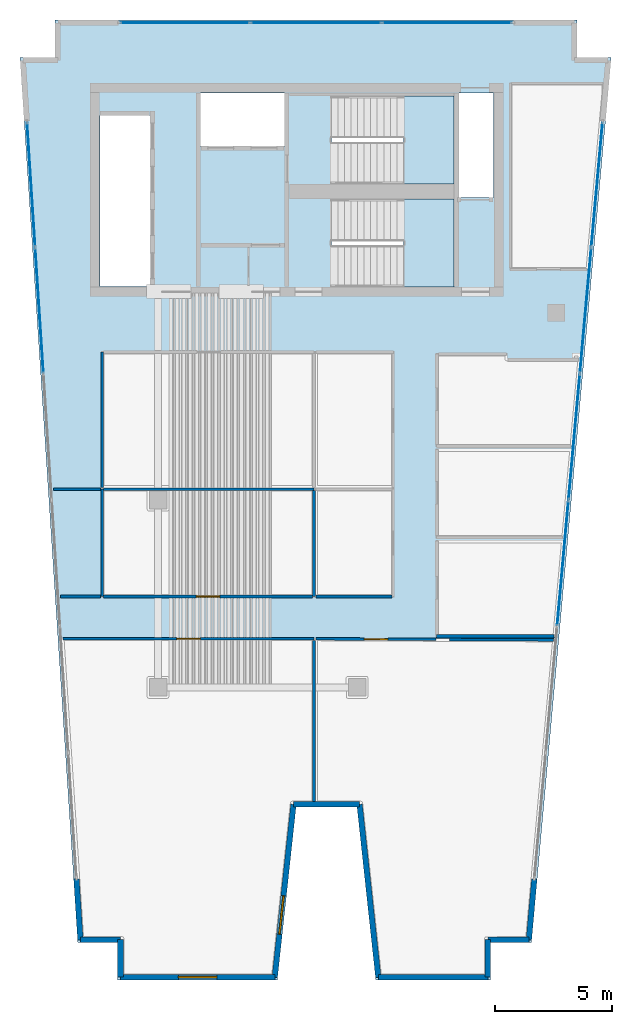
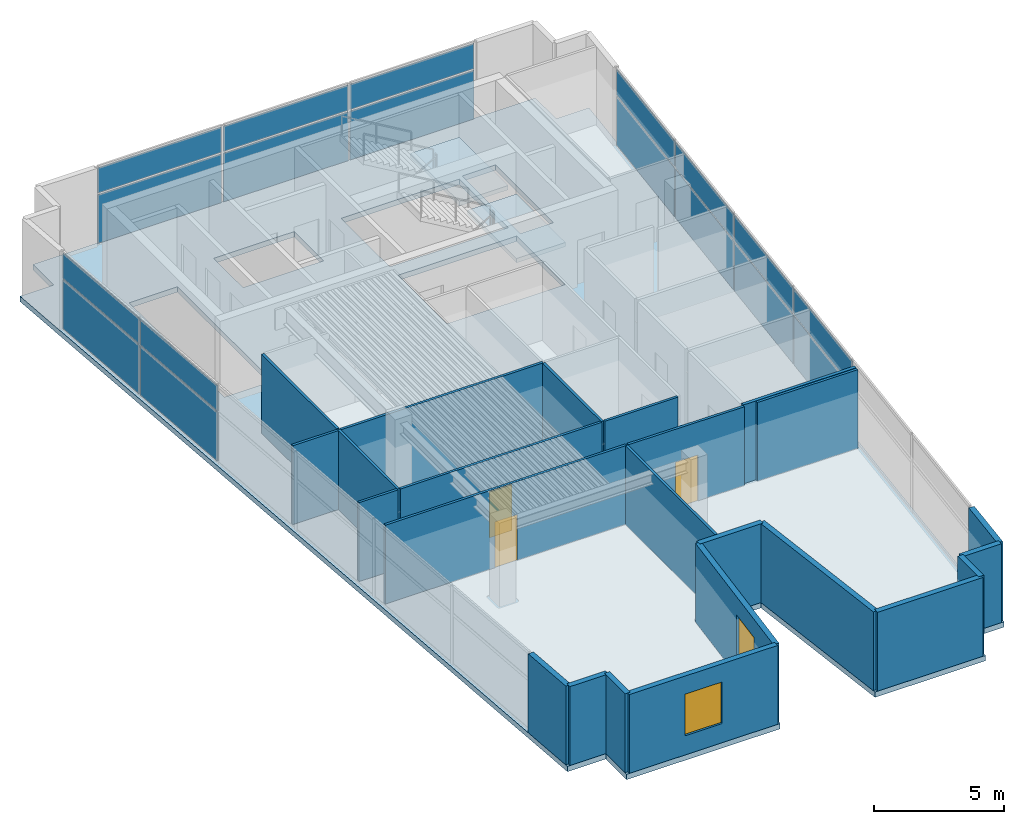
# One storey, part 3 of 7: 24 walls, 18 plates, 3 doors, 3 slabs, 2 windows, 5 openings, 5 elements without a shape of their own.
"""IFC4 building model written with IfcOpenShell, lengths in metres."""

from ifc_helpers import new_model, si_unit, direction, frame, frame_2d, origin, origin_2d, place, context, subcontext, project, spatial, polyline, rectangle, outline, extrude, material, layer, layer_set, type_object, element, fill, aggregate, save


model = new_model("IFC4")

# Units and contexts
model_context = context("Model", 3, precision=1e-05, world=origin(), true_north=direction((0.0, 1.0)))
body_context = subcontext(model_context, "Body", "Model", "MODEL_VIEW")
ifc_project = project(units=[si_unit("LENGTHUNIT", "METRE"), si_unit("AREAUNIT", "SQUARE_METRE"), si_unit("VOLUMEUNIT", "CUBIC_METRE"), si_unit("PLANEANGLEUNIT", "RADIAN"), si_unit("MASSUNIT", "GRAM", prefix="KILO")], contexts=[model_context])

# Site, building, storey
site_placement = place(None, origin())
site = spatial("IfcSite", under=ifc_project, at=site_placement, CompositionType="ELEMENT")
building_placement = place(site_placement, origin())
building = spatial("IfcBuilding", under=site, at=building_placement, Name="Caeloran Harvest Quay", CompositionType="ELEMENT")
storey_placement = place(building_placement, frame((0.0, 0.0, 312.0)))
storey = spatial("IfcBuildingStorey", under=building, at=storey_placement, Name="L75", CompositionType="ELEMENT", Elevation=312.0)

# Curtain wall, plates
ifc_material_1 = material(Name="Aluminium 6063-T6 and Low-E Glazing", Category="aluminium")
ifc_layer_1 = layer(ifc_material_1, 0.239990234375, Name="Aluminium 6063-T6 and Low-E Glazing")
ifc_layer_set_1 = layer_set([ifc_layer_1], Name="Aluminium 6063-T6 and Low-E Glazing")
curtain_wall_type = type_object("IfcCurtainWallType", Name="CW-SYS-CW-7", PredefinedType="USERDEFINED", material=ifc_layer_set_1)
curtain_wall_1_placement = place(storey_placement, origin())
curtain_wall_1 = element("IfcCurtainWall", 1, at=curtain_wall_1_placement, inside=storey, type_object=curtain_wall_type, Name="L75 Unitised Curtain Wall CW-7 Run 3", ObjectType="CURTAIN_WALL", PredefinedType="USERDEFINED")
ifc_material_2 = material(Name="Low-E Double Glazed Vision Glass Unit", Category="glass")
ifc_layer_2 = layer(ifc_material_2, 0.035888671875, Name="Low-E Double Glazed Vision Glass Unit")
ifc_layer_set_2 = layer_set([ifc_layer_2], Name="Low-E Double Glazed Vision Glass Unit")
plate_type = type_object("IfcPlateType", Name="CW-VISION-PANEL", PredefinedType="CURTAIN_PANEL", material=ifc_layer_set_2)
plate_1_placement = place(storey_placement, frame((3.430419921875, 31.0927734375, 0.080078125), z_axis=(0.0, 0.0, 1.0), x_axis=(-0.065166552901, 0.997874401106, 0.0)))
plate_1 = element("IfcPlate", 2, at=plate_1_placement, type_object=plate_type, Name="CW-7 panel 5.1", PredefinedType="CURTAIN_PANEL", context=body_context, shape_type="SweptSolid", body=[
    extrude(rectangle(XDim=5.32666015625, YDim=0.035888671875, at=origin_2d()), origin(), (0.0, 0.0, 1.0), 2.280029296875),
])
plate_2_placement = place(storey_placement, frame((3.430419921875, 31.0927734375, 2.43994140625), z_axis=(0.0, 0.0, 1.0), x_axis=(-0.065166552901, 0.997874401106, 0.0)))
plate_2 = element("IfcPlate", 3, at=plate_2_placement, type_object=plate_type, Name="CW-7 panel 5.2", PredefinedType="CURTAIN_PANEL", context=body_context, shape_type="SweptSolid", body=[
    extrude(rectangle(XDim=5.32666015625, YDim=0.035888671875, at=origin_2d()), origin(), (0.0, 0.0, 1.0), 1.179931640625),
])
plate_3_placement = place(storey_placement, frame((3.07958984375, 36.468017578125, 0.080078125), z_axis=(0.0, 0.0, 1.0), x_axis=(-0.065166552901, 0.997874401106, 0.0)))
plate_3 = element("IfcPlate", 4, at=plate_3_placement, type_object=plate_type, Name="CW-7 panel 6.1", PredefinedType="CURTAIN_PANEL", context=body_context, shape_type="SweptSolid", body=[
    extrude(rectangle(XDim=5.28662109375, YDim=0.035888671875, at=origin_2d()), origin(), (0.0, 0.0, 1.0), 2.280029296875),
])
plate_4_placement = place(storey_placement, frame((3.07958984375, 36.468017578125, 2.43994140625), z_axis=(0.0, 0.0, 1.0), x_axis=(-0.065166552901, 0.997874401106, 0.0)))
plate_4 = element("IfcPlate", 5, at=plate_4_placement, type_object=plate_type, Name="CW-7 panel 6.2", PredefinedType="CURTAIN_PANEL", context=body_context, shape_type="SweptSolid", body=[
    extrude(rectangle(XDim=5.28662109375, YDim=0.035888671875, at=origin_2d()), origin(), (0.0, 0.0, 1.0), 1.179931640625),
])
aggregate(curtain_wall_1, [plate_1, plate_2, plate_3, plate_4])

curtain_wall_2_placement = place(storey_placement, origin())
curtain_wall_2 = element("IfcCurtainWall", 6, at=curtain_wall_2_placement, inside=storey, type_object=curtain_wall_type, Name="L75 Unitised Curtain Wall CW-7 Run 6", ObjectType="CURTAIN_WALL", PredefinedType="USERDEFINED")
plate_5_placement = place(storey_placement, frame((9.64990234375, 43.3798828125, 0.080078125), z_axis=(0.0, 0.0, 1.0), x_axis=(1.0, 0.0, 0.0)))
plate_5 = element("IfcPlate", 7, at=plate_5_placement, type_object=plate_type, Name="CW-7 panel 1.1", PredefinedType="CURTAIN_PANEL", context=body_context, shape_type="SweptSolid", body=[
    extrude(rectangle(XDim=5.5, YDim=0.035888671875, at=origin_2d()), origin(), (0.0, 0.0, 1.0), 2.280029296875),
])
plate_6_placement = place(storey_placement, frame((9.64990234375, 43.3798828125, 2.43994140625), z_axis=(0.0, 0.0, 1.0), x_axis=(1.0, 0.0, 0.0)))
plate_6 = element("IfcPlate", 8, at=plate_6_placement, type_object=plate_type, Name="CW-7 panel 1.2", PredefinedType="CURTAIN_PANEL", context=body_context, shape_type="SweptSolid", body=[
    extrude(rectangle(XDim=5.5, YDim=0.035888671875, at=origin_2d()), origin(), (0.0, 0.0, 1.0), 1.179931640625),
])
plate_7_placement = place(storey_placement, frame((15.25, 43.3798828125, 0.080078125), z_axis=(0.0, 0.0, 1.0), x_axis=(1.0, 0.0, 0.0)))
plate_7 = element("IfcPlate", 9, at=plate_7_placement, type_object=plate_type, Name="CW-7 panel 2.1", PredefinedType="CURTAIN_PANEL", context=body_context, shape_type="SweptSolid", body=[
    extrude(rectangle(XDim=5.5400390625, YDim=0.035888671875, at=origin_2d()), origin(), (0.0, 0.0, 1.0), 2.280029296875),
])
plate_8_placement = place(storey_placement, frame((15.25, 43.3798828125, 2.43994140625), z_axis=(0.0, 0.0, 1.0), x_axis=(1.0, 0.0, 0.0)))
plate_8 = element("IfcPlate", 10, at=plate_8_placement, type_object=plate_type, Name="CW-7 panel 2.2", PredefinedType="CURTAIN_PANEL", context=body_context, shape_type="SweptSolid", body=[
    extrude(rectangle(XDim=5.5400390625, YDim=0.035888671875, at=origin_2d()), origin(), (0.0, 0.0, 1.0), 1.179931640625),
])
plate_9_placement = place(storey_placement, frame((20.85009765625, 43.3798828125, 0.080078125), z_axis=(0.0, 0.0, 1.0), x_axis=(1.0, 0.0, 0.0)))
plate_9 = element("IfcPlate", 11, at=plate_9_placement, type_object=plate_type, Name="CW-7 panel 3.1", PredefinedType="CURTAIN_PANEL", context=body_context, shape_type="SweptSolid", body=[
    extrude(rectangle(XDim=5.5, YDim=0.035888671875, at=origin_2d()), origin(), (0.0, 0.0, 1.0), 2.280029296875),
])
plate_10_placement = place(storey_placement, frame((20.85009765625, 43.3798828125, 2.43994140625), z_axis=(0.0, 0.0, 1.0), x_axis=(1.0, 0.0, 0.0)))
plate_10 = element("IfcPlate", 12, at=plate_10_placement, type_object=plate_type, Name="CW-7 panel 3.2", PredefinedType="CURTAIN_PANEL", context=body_context, shape_type="SweptSolid", body=[
    extrude(rectangle(XDim=5.5, YDim=0.035888671875, at=origin_2d()), origin(), (0.0, 0.0, 1.0), 1.179931640625),
])
aggregate(curtain_wall_2, [plate_5, plate_6, plate_7, plate_8, plate_9, plate_10])

curtain_wall_3_placement = place(storey_placement, origin())
curtain_wall_3 = element("IfcCurtainWall", 13, at=curtain_wall_3_placement, inside=storey, type_object=curtain_wall_type, Name="L75 Unitised Curtain Wall CW-7 Run 9", ObjectType="CURTAIN_WALL", PredefinedType="USERDEFINED")
plate_11_placement = place(storey_placement, frame((27.245849609375, 36.47216796875, 0.080078125), z_axis=(0.0, 0.0, 1.0), x_axis=(-0.089821065146, -0.995957918918, 0.0)))
plate_11 = element("IfcPlate", 14, at=plate_11_placement, type_object=plate_type, Name="CW-7 panel 1.1", PredefinedType="CURTAIN_PANEL", context=body_context, shape_type="SweptSolid", body=[
    extrude(rectangle(XDim=5.298828125, YDim=0.035888671875, at=origin_2d()), origin(), (0.0, 0.0, 1.0), 2.280029296875),
])
plate_12_placement = place(storey_placement, frame((27.245849609375, 36.47216796875, 2.43994140625), z_axis=(0.0, 0.0, 1.0), x_axis=(-0.089821065146, -0.995957918918, 0.0)))
plate_12 = element("IfcPlate", 15, at=plate_12_placement, type_object=plate_type, Name="CW-7 panel 1.2", PredefinedType="CURTAIN_PANEL", context=body_context, shape_type="SweptSolid", body=[
    extrude(rectangle(XDim=5.298828125, YDim=0.035888671875, at=origin_2d()), origin(), (0.0, 0.0, 1.0), 1.179931640625),
])
plate_13_placement = place(storey_placement, frame((26.7607421875, 31.09521484375, 0.080078125), z_axis=(0.0, 0.0, 1.0), x_axis=(-0.089821065146, -0.995957918918, 0.0)))
plate_13 = element("IfcPlate", 16, at=plate_13_placement, type_object=plate_type, Name="CW-7 panel 2.1", PredefinedType="CURTAIN_PANEL", context=body_context, shape_type="SweptSolid", body=[
    extrude(rectangle(XDim=5.338623046875, YDim=0.035888671875, at=origin_2d()), origin(), (0.0, 0.0, 1.0), 2.280029296875),
])
plate_14_placement = place(storey_placement, frame((26.7607421875, 31.09521484375, 2.43994140625), z_axis=(0.0, 0.0, 1.0), x_axis=(-0.089821065146, -0.995957918918, 0.0)))
plate_14 = element("IfcPlate", 17, at=plate_14_placement, type_object=plate_type, Name="CW-7 panel 2.2", PredefinedType="CURTAIN_PANEL", context=body_context, shape_type="SweptSolid", body=[
    extrude(rectangle(XDim=5.338623046875, YDim=0.035888671875, at=origin_2d()), origin(), (0.0, 0.0, 1.0), 1.179931640625),
])
plate_15_placement = place(storey_placement, frame((26.274169921875, 25.698486328125, 0.080078125), z_axis=(0.0, 0.0, 1.0), x_axis=(-0.089821065146, -0.995957918918, 0.0)))
plate_15 = element("IfcPlate", 18, at=plate_15_placement, type_object=plate_type, Name="CW-7 panel 3.1", PredefinedType="CURTAIN_PANEL", context=body_context, shape_type="SweptSolid", body=[
    extrude(rectangle(XDim=5.338623046875, YDim=0.035888671875, at=origin_2d()), origin(), (0.0, 0.0, 1.0), 2.280029296875),
])
plate_16_placement = place(storey_placement, frame((26.274169921875, 25.698486328125, 2.43994140625), z_axis=(0.0, 0.0, 1.0), x_axis=(-0.089821065146, -0.995957918918, 0.0)))
plate_16 = element("IfcPlate", 19, at=plate_16_placement, type_object=plate_type, Name="CW-7 panel 3.2", PredefinedType="CURTAIN_PANEL", context=body_context, shape_type="SweptSolid", body=[
    extrude(rectangle(XDim=5.338623046875, YDim=0.035888671875, at=origin_2d()), origin(), (0.0, 0.0, 1.0), 1.179931640625),
])
plate_17_placement = place(storey_placement, frame((25.787353515625, 20.301513671875, 0.080078125), z_axis=(0.0, 0.0, 1.0), x_axis=(-0.089821065146, -0.995957918918, 0.0)))
plate_17 = element("IfcPlate", 20, at=plate_17_placement, type_object=plate_type, Name="CW-7 panel 4.1", PredefinedType="CURTAIN_PANEL", context=body_context, shape_type="SweptSolid", body=[
    extrude(rectangle(XDim=5.338623046875, YDim=0.035888671875, at=origin_2d()), origin(), (0.0, 0.0, 1.0), 2.280029296875),
])
plate_18_placement = place(storey_placement, frame((25.787353515625, 20.301513671875, 2.43994140625), z_axis=(0.0, 0.0, 1.0), x_axis=(-0.089821065146, -0.995957918918, 0.0)))
plate_18 = element("IfcPlate", 21, at=plate_18_placement, type_object=plate_type, Name="CW-7 panel 4.2", PredefinedType="CURTAIN_PANEL", context=body_context, shape_type="SweptSolid", body=[
    extrude(rectangle(XDim=5.338623046875, YDim=0.035888671875, at=origin_2d()), origin(), (0.0, 0.0, 1.0), 1.179931640625),
])
aggregate(curtain_wall_3, [plate_11, plate_12, plate_13, plate_14, plate_15, plate_16, plate_17, plate_18])

# Slab
ifc_material_3 = material(Name="Concrete C50/60", Category="concrete")
ifc_layer_3 = layer(ifc_material_3, 0.25, Name="Concrete C50/60")
ifc_layer_set_3 = layer_set([ifc_layer_3], Name="Concrete C50/60")
slab_type_1 = type_object("IfcSlabType", Name="SLAB-FS-250", PredefinedType="FLOOR", material=ifc_layer_set_3)
slab_1_placement = place(storey_placement, frame((0.0, 0.0, -0.25)))
element("IfcSlab", 22, at=slab_1_placement, inside=storey, type_object=slab_type_1, Name="L75 Structural Floor Slab", PredefinedType="FLOOR", context=body_context, shape_type="SweptSolid", body=[
    extrude(outline(polyline([(6.777587890625, 2.5), (13.592529296875, 2.5), (14.392578125, 9.8798828125), (17.0, 9.8798828125), (17.800048828125, 2.5), (22.702392578125, 2.5), (22.702392578125, 4.10009765625), (24.44677734375, 4.10009765625), (27.855712890625, 41.89990234375), (26.39990234375, 41.89990234375), (26.39990234375, 43.5), (4.10009765625, 43.5), (4.10009765625, 41.89990234375), (2.6044921875, 41.89990234375), (5.072998046875, 4.10009765625), (6.777587890625, 4.10009765625), (6.777587890625, 2.5)]), holes=[polyline([(21.14990234375, 32.10009765625), (15.89990234375, 32.10009765625), (15.89990234375, 35.85009765625), (21.14990234375, 35.85009765625), (21.14990234375, 32.10009765625)]), polyline([(8.159912109375, 39.419921875), (8.159912109375, 32.1201171875), (6.02001953125, 32.1201171875), (6.02001953125, 39.419921875), (8.159912109375, 39.419921875)]), polyline([(22.830078125, 40.3798828125), (22.830078125, 35.919921875), (21.35009765625, 35.919921875), (21.35009765625, 40.3798828125), (22.830078125, 40.3798828125)]), polyline([(15.89990234375, 36.5), (15.89990234375, 40.25), (21.14990234375, 40.25), (21.14990234375, 36.5), (15.89990234375, 36.5)]), polyline([(13.89990234375, 38.1201171875), (10.320068359375, 38.1201171875), (10.320068359375, 40.3798828125), (13.89990234375, 40.3798828125), (13.89990234375, 38.1201171875)])]), origin(), (0.0, 0.0, 1.0), 0.25),
])

# Stair, slab
stair_type = type_object("IfcStairType", Name="STAIR-STC-180", PredefinedType="HALF_TURN_STAIR", material=ifc_material_3)
stair_1_placement = place(storey_placement, origin())
stair_1 = element("IfcStair", 23, at=stair_1_placement, inside=storey, type_object=stair_type, Name="L75 Core Pressurized Exit Stair ST-C1", PredefinedType="HALF_TURN_STAIR")
ifc_layer_4 = layer(ifc_material_3, 0.219970703125, Name="Concrete C50/60")
ifc_layer_set_4 = layer_set([ifc_layer_4], Name="Concrete C50/60")
slab_type_2 = type_object("IfcSlabType", Name="STAIR-LANDING-220", PredefinedType="LANDING", material=ifc_layer_set_4)
slab_2_placement = place(storey_placement, frame((0.0, 0.0, 1.77490234375)))
slab_2 = element("IfcSlab", 24, at=slab_2_placement, type_object=slab_type_2, Name="ST-C1 landing 1", PredefinedType="LANDING", context=body_context, shape_type="SweptSolid", body=[
    extrude(outline(polyline([(18.97998046875, 36.5), (21.14990234375, 36.5), (21.14990234375, 40.25), (18.97998046875, 40.25), (18.97998046875, 36.5)])), origin(), (0.0, 0.0, 1.0), 0.2001953125),
])
aggregate(stair_1, [slab_2])

stair_2_placement = place(storey_placement, origin())
stair_2 = element("IfcStair", 25, at=stair_2_placement, inside=storey, type_object=stair_type, Name="L75 Core Pressurized Exit Stair ST-C2", PredefinedType="HALF_TURN_STAIR")
slab_3_placement = place(storey_placement, frame((0.0, 0.0, 1.77490234375)))
slab_3 = element("IfcSlab", 26, at=slab_3_placement, type_object=slab_type_2, Name="ST-C2 landing 1", PredefinedType="LANDING", context=body_context, shape_type="SweptSolid", body=[
    extrude(outline(polyline([(18.97998046875, 32.10009765625), (21.14990234375, 32.10009765625), (21.14990234375, 35.85009765625), (18.97998046875, 35.85009765625), (18.97998046875, 32.10009765625)])), origin(), (0.0, 0.0, 1.0), 0.2001953125),
])
aggregate(stair_2, [slab_3])

# Walls
ifc_material_4 = material(Name="Precast concrete C50/60", Category="concrete")
ifc_layer_5 = layer(ifc_material_4, 0.239990234375, Name="Precast concrete C50/60")
ifc_layer_set_5 = layer_set([ifc_layer_5], Name="Precast concrete C50/60")
wall_type_1 = type_object("IfcWallType", Name="ENV-WALL-EW-240", PredefinedType="STANDARD", material=ifc_layer_set_5)
wall_1_placement = place(storey_placement, frame((6.8974609375, 2.6201171875, 0.0), z_axis=(0.0, 0.0, 1.0), x_axis=(0.0, 1.0, 0.0)))
element("IfcWall", 27, at=wall_1_placement, inside=storey, type_object=wall_type_1, Name="L75 Exterior Precast Concrete Facade Wall 1", PredefinedType="STANDARD", context=body_context, shape_type="SweptSolid", body=[
    extrude(rectangle(XDim=1.599853515625, YDim=0.239990234375, at=frame_2d((0.7998046875, 0.0))), origin(), (0.0, 0.0, 1.0), 3.699951171875),
])
wall_2_placement = place(storey_placement, frame((6.8974609375, 4.219970703125, 0.0), z_axis=(0.0, 0.0, 1.0), x_axis=(-1.0, 0.0, 0.0)))
element("IfcWall", 28, at=wall_2_placement, inside=storey, type_object=wall_type_1, Name="L75 Exterior Precast Concrete Facade Wall 2", PredefinedType="STANDARD", context=body_context, shape_type="SweptSolid", body=[
    extrude(rectangle(XDim=1.712158203125, YDim=0.239990234375, at=frame_2d((0.85595703125, 0.0))), origin(), (0.0, 0.0, 1.0), 3.699951171875),
])
for number, where, z_axis, x_axis, name in (
    (29, (5.185302734375, 4.219970703125, 0.0), (0.0, 0.0, 1.0), (-0.065073039336, 0.997880503643, 0.0), "L75 Exterior Facade Corner Pier Wall 3A"),
    (30, (24.570556640625, 6.8095703125, 0.0), (0.0, 0.0, 1.0), (-0.089765303723, -0.995962946222, 0.0), "L75 Exterior Facade Corner Pier Wall 9B"),
):
    element("IfcWall", number, at=place(storey_placement, frame(where, z_axis=z_axis, x_axis=x_axis)), inside=storey, type_object=wall_type_1, Name=name, PredefinedType="STANDARD", context=body_context, shape_type="SweptSolid", body=[
        extrude(rectangle(XDim=2.60009765625, YDim=0.239990234375, at=frame_2d((1.300048828125, 0.0))), origin(), (0.0, 0.0, 1.0), 3.699951171875),
    ])
wall_3_placement = place(storey_placement, frame((24.337158203125, 4.219970703125, 0.0), z_axis=(0.0, 0.0, 1.0), x_axis=(-1.0, 0.0, 0.0)))
element("IfcWall", 31, at=wall_3_placement, inside=storey, type_object=wall_type_1, Name="L75 Exterior Precast Concrete Facade Wall 10", PredefinedType="STANDARD", context=body_context, shape_type="SweptSolid", body=[
    extrude(rectangle(XDim=1.754638671875, YDim=0.239990234375, at=frame_2d((0.87744140625, 0.0))), origin(), (0.0, 0.0, 1.0), 3.699951171875),
])
wall_4_placement = place(storey_placement, frame((22.58251953125, 4.219970703125, 0.0), z_axis=(0.0, 0.0, 1.0), x_axis=(0.0, -1.0, 0.0)))
element("IfcWall", 32, at=wall_4_placement, inside=storey, type_object=wall_type_1, Name="L75 Exterior Precast Concrete Facade Wall 11", PredefinedType="STANDARD", context=body_context, shape_type="SweptSolid", body=[
    extrude(rectangle(XDim=1.599853515625, YDim=0.239990234375, at=frame_2d((0.7998046875, 0.0))), origin(), (0.0, 0.0, 1.0), 3.699951171875),
])
wall_5_placement = place(storey_placement, frame((22.58251953125, 2.6201171875, 0.0), z_axis=(0.0, 0.0, 1.0), x_axis=(-1.0, 0.0, 0.0)))
element("IfcWall", 33, at=wall_5_placement, inside=storey, type_object=wall_type_1, Name="L75 Exterior Precast Concrete Facade Wall 12", PredefinedType="STANDARD", context=body_context, shape_type="SweptSolid", body=[
    extrude(rectangle(XDim=4.6748046875, YDim=0.239990234375, at=frame_2d((2.33740234375, 0.0))), origin(), (0.0, 0.0, 1.0), 3.699951171875),
])
wall_6_placement = place(storey_placement, frame((17.90771484375, 2.6201171875, 0.0), z_axis=(0.0, 0.0, 1.0), x_axis=(-0.107777936076, 0.994174992894, 0.0)))
element("IfcWall", 34, at=wall_6_placement, inside=storey, type_object=wall_type_1, Name="L75 Exterior Precast Concrete Facade Wall 13", PredefinedType="STANDARD", context=body_context, shape_type="SweptSolid", body=[
    extrude(rectangle(XDim=7.423095703125, YDim=0.239990234375, at=frame_2d((3.71142578125, 0.0))), origin(), (0.0, 0.0, 1.0), 3.699951171875),
])
wall_7_placement = place(storey_placement, frame((17.107666015625, 10.0, 0.0), z_axis=(0.0, 0.0, 1.0), x_axis=(-1.0, 0.0, 0.0)))
element("IfcWall", 35, at=wall_7_placement, inside=storey, type_object=wall_type_1, Name="L75 Exterior Precast Concrete Facade Wall 14", PredefinedType="STANDARD", context=body_context, shape_type="SweptSolid", body=[
    extrude(rectangle(XDim=2.82275390625, YDim=0.239990234375, at=frame_2d((1.411376953125, 0.0))), origin(), (0.0, 0.0, 1.0), 3.699951171875),
])

# Wall, opening, window
wall_8_placement = place(storey_placement, frame((14.284912109375, 10.0, 0.0), z_axis=(0.0, 0.0, 1.0), x_axis=(-0.107777936076, -0.994174992894, 0.0)))
wall_8 = element("IfcWall", 36, at=wall_8_placement, inside=storey, type_object=wall_type_1, Name="L75 Exterior Precast Concrete Facade Wall 15", PredefinedType="STANDARD", context=body_context, shape_type="SweptSolid", body=[
    extrude(rectangle(XDim=7.423095703125, YDim=0.239990234375, at=frame_2d((3.71142578125, 0.0))), origin(), (0.0, 0.0, 1.0), 3.699951171875),
])
opening_1_placement = place(wall_8_placement, frame((3.926025390625, 0.0, 0.89990234375)))
opening_1 = element("IfcOpeningElement", 37, at=opening_1_placement, cuts=wall_8, Name="Opening W-08", PredefinedType="OPENING", context=body_context, shape_type="SweptSolid", body=[
    extrude(rectangle(XDim=1.64990234375, YDim=1.949951171875, at=frame_2d((0.824951171875, 0.97509765625))), frame((0.0, 0.1298828125, 0.0), z_axis=(0.0, -1.0, 0.0), x_axis=(1.0, 0.0, 0.0)), (0.0, 0.0, 1.0), 0.260009765625),
])
ifc_material_5 = material(Name="Aluminium-Framed Low-E Laminated Glass", Category="aluminium")
window_type = type_object("IfcWindowType", Name="WIN-W-08", PartitioningType="SINGLE_PANEL", PredefinedType="WINDOW", material=ifc_material_5)
window_1_placement = place(opening_1_placement, origin())
window_1 = element("IfcWindow", 38, at=window_1_placement, inside=storey, type_object=window_type, Name="L75 Facade Punched Window W-08", OverallHeight=1.949951171875, OverallWidth=1.64990234375, PartitioningType="SINGLE_PANEL", PredefinedType="WINDOW", context=body_context, shape_type="SweptSolid", body=[
    extrude(rectangle(XDim=1.64990234375, YDim=1.949951171875, at=frame_2d((0.824951171875, 0.97509765625))), frame((0.0, 0.030029296875, 0.0), z_axis=(0.0, -1.0, 0.0), x_axis=(1.0, 0.0, 0.0)), (0.0, 0.0, 1.0), 0.06005859375),
])
fill(opening_1, window_1)

wall_9_placement = place(storey_placement, frame((13.48486328125, 2.6201171875, 0.0), z_axis=(0.0, 0.0, 1.0), x_axis=(-1.0, 0.0, 0.0)))
wall_9 = element("IfcWall", 39, at=wall_9_placement, inside=storey, type_object=wall_type_1, Name="L75 Exterior Precast Concrete Facade Wall 16", PredefinedType="STANDARD", context=body_context, shape_type="SweptSolid", body=[
    extrude(rectangle(XDim=6.58740234375, YDim=0.239990234375, at=frame_2d((3.293701171875, 0.0))), origin(), (0.0, 0.0, 1.0), 3.699951171875),
])
opening_2_placement = place(wall_9_placement, frame((2.468994140625, 0.0, 0.89990234375)))
opening_2 = element("IfcOpeningElement", 40, at=opening_2_placement, cuts=wall_9, Name="Opening W-08", PredefinedType="OPENING", context=body_context, shape_type="SweptSolid", body=[
    extrude(rectangle(XDim=1.64990234375, YDim=1.949951171875, at=frame_2d((0.824951171875, 0.97509765625))), frame((0.0, 0.1298828125, 0.0), z_axis=(0.0, -1.0, 0.0), x_axis=(1.0, 0.0, 0.0)), (0.0, 0.0, 1.0), 0.260009765625),
])
window_2_placement = place(opening_2_placement, origin())
window_2 = element("IfcWindow", 41, at=window_2_placement, inside=storey, type_object=window_type, Name="L75 Facade Punched Window W-08", OverallHeight=1.949951171875, OverallWidth=1.64990234375, PartitioningType="SINGLE_PANEL", PredefinedType="WINDOW", context=body_context, shape_type="SweptSolid", body=[
    extrude(rectangle(XDim=1.64990234375, YDim=1.949951171875, at=frame_2d((0.824951171875, 0.97509765625))), frame((0.0, 0.030029296875, 0.0), z_axis=(0.0, -1.0, 0.0), x_axis=(1.0, 0.0, 0.0)), (0.0, 0.0, 1.0), 0.06005859375),
])
fill(opening_2, window_2)

# Wall, opening, door
ifc_material_6 = material(Name="Single-Stud Acoustic Gypsum Office Partition", Category="gypsum")
ifc_layer_6 = layer(ifc_material_6, 0.112060546875, Name="Single-Stud Acoustic Gypsum Office Partition")
ifc_layer_set_6 = layer_set([ifc_layer_6], Name="Single-Stud Acoustic Gypsum Office Partition")
wall_type_2 = type_object("IfcWallType", Name="INT-WALL-PW-112", PredefinedType="PARTITIONING", material=ifc_layer_set_6)
wall_10_placement = place(storey_placement, frame((4.451416015625, 17.070068359375, 0.0), z_axis=(0.0, 0.0, 1.0), x_axis=(1.0, 0.0, 0.0)))
wall_10 = element("IfcWall", 42, at=wall_10_placement, inside=storey, type_object=wall_type_2, Name="Pinnacle Botanical Observatory Studio Partition Wall", PredefinedType="PARTITIONING", context=body_context, shape_type="SweptSolid", body=[
    extrude(rectangle(XDim=10.70849609375, YDim=0.112060546875, at=frame_2d((5.354248046875, 0.0))), origin(), (0.0, 0.0, 1.0), 3.699951171875),
])
opening_3_placement = place(wall_10_placement, frame((4.854248046875, 0.0, 0.0)))
opening_3 = element("IfcOpeningElement", 43, at=opening_3_placement, cuts=wall_10, Name="Opening ID-01", PredefinedType="OPENING", context=body_context, shape_type="SweptSolid", body=[
    extrude(rectangle(XDim=1.0, YDim=2.14990234375, at=frame_2d((0.5, 1.074951171875))), frame((0.0, 0.06591796875, 0.0), z_axis=(0.0, -1.0, 0.0), x_axis=(1.0, 0.0, 0.0)), (0.0, 0.0, 1.0), 0.132080078125),
])
ifc_material_7 = material(Name="FSC Solid-Core Ash Timber and Acoustic Seal", Category="wood")
door_type = type_object("IfcDoorType", Name="INTDOOR-ID-01", OperationType="NOTDEFINED", PredefinedType="DOOR", material=ifc_material_7)
door_1_placement = place(opening_3_placement, origin())
door_1 = element("IfcDoor", 44, at=door_1_placement, inside=storey, type_object=door_type, Name="Pinnacle Botanical Observatory Studio Access Door", OperationType="SINGLE_SWING_LEFT", OverallHeight=2.14990234375, OverallWidth=1.0, PredefinedType="DOOR", context=body_context, shape_type="SweptSolid", body=[
    extrude(rectangle(XDim=1.0, YDim=2.14990234375, at=frame_2d((0.5, 1.074951171875))), frame((0.0, 0.02490234375, 0.0), z_axis=(0.0, -1.0, 0.0), x_axis=(1.0, 0.0, 0.0)), (0.0, 0.0, 1.0), 0.050048828125),
])
fill(opening_3, door_1)

# Walls
wall_11_placement = place(storey_placement, frame((15.159912109375, 17.009033203125, 0.0), z_axis=(0.0, 0.0, 1.0), x_axis=(0.0, -1.0, 0.0)))
element("IfcWall", 45, at=wall_11_placement, inside=storey, type_object=wall_type_2, Name="Pinnacle Botanical Observatory Studio Partition Wall", PredefinedType="PARTITIONING", context=body_context, shape_type="SweptSolid", body=[
    extrude(rectangle(XDim=6.884033203125, YDim=0.112060546875, at=frame_2d((3.44189453125, 0.0))), origin(), (0.0, 0.0, 1.0), 3.699951171875),
])
wall_12_placement = place(storey_placement, frame((20.947021484375, 17.0419921875, 0.0), z_axis=(0.0, 0.0, 1.0), x_axis=(0.999988019942, -0.004894892409, 0.0)))
element("IfcWall", 46, at=wall_12_placement, inside=storey, type_object=wall_type_2, Name="Diplomatic Conference Hall Partition Wall", PredefinedType="PARTITIONING", context=body_context, shape_type="SweptSolid", body=[
    extrude(rectangle(XDim=4.43896484375, YDim=0.112060546875, at=frame_2d((2.219482421875, 0.0))), origin(), (0.0, 0.0, 1.0), 3.699951171875),
])

# Wall, opening, door
wall_13_placement = place(storey_placement, frame((15.239990234375, 17.070068359375, 0.0), z_axis=(0.0, 0.0, 1.0), x_axis=(0.999988036902, -0.0048914265, 0.0)))
wall_13 = element("IfcWall", 47, at=wall_13_placement, inside=storey, type_object=wall_type_2, Name="Diplomatic Conference Hall Partition Wall", PredefinedType="PARTITIONING", context=body_context, shape_type="SweptSolid", body=[
    extrude(rectangle(XDim=5.140869140625, YDim=0.112060546875, at=frame_2d((2.5703125, 0.0))), origin(), (0.0, 0.0, 1.0), 3.699951171875),
])
opening_4_placement = place(wall_13_placement, frame((2.070556640625, 0.0, 0.0)))
opening_4 = element("IfcOpeningElement", 48, at=opening_4_placement, cuts=wall_13, Name="Opening ID-01", PredefinedType="OPENING", context=body_context, shape_type="SweptSolid", body=[
    extrude(rectangle(XDim=1.0, YDim=2.14990234375, at=frame_2d((0.5, 1.074951171875))), frame((0.0, 0.06591796875, 0.0), z_axis=(0.0, -1.0, 0.0), x_axis=(1.0, 0.0, 0.0)), (0.0, 0.0, 1.0), 0.132080078125),
])
door_2_placement = place(opening_4_placement, origin())
door_2 = element("IfcDoor", 49, at=door_2_placement, inside=storey, type_object=door_type, Name="Diplomatic Conference Hall Access Door", OperationType="SINGLE_SWING_RIGHT", OverallHeight=2.14990234375, OverallWidth=1.0, PredefinedType="DOOR", context=body_context, shape_type="SweptSolid", body=[
    extrude(rectangle(XDim=1.0, YDim=2.14990234375, at=frame_2d((0.5, 1.074951171875))), frame((0.0, 0.02490234375, 0.0), z_axis=(0.0, -1.0, 0.0), x_axis=(1.0, 0.0, 0.0)), (0.0, 0.0, 1.0), 0.050048828125),
])
fill(opening_4, door_2)

# Walls
wall_14_placement = place(storey_placement, frame((6.110107421875, 18.8798828125, 0.0), z_axis=(0.0, 0.0, 1.0), x_axis=(0.0, 1.0, 0.0)))
element("IfcWall", 50, at=wall_14_placement, inside=storey, type_object=wall_type_2, Name="Private Family Meeting Room Partition Wall", PredefinedType="PARTITIONING", context=body_context, shape_type="SweptSolid", body=[
    extrude(rectangle(XDim=4.580078125, YDim=0.112060546875, at=frame_2d((2.2900390625, 0.0))), origin(), (0.0, 0.0, 1.0), 3.699951171875),
])
wall_15_placement = place(storey_placement, frame((4.0341796875, 23.4599609375, 0.0), z_axis=(0.0, 0.0, 1.0), x_axis=(1.0, 0.0, 0.0)))
element("IfcWall", 51, at=wall_15_placement, inside=storey, type_object=wall_type_2, Name="Private Family Meeting Room Partition Wall", PredefinedType="PARTITIONING", context=body_context, shape_type="SweptSolid", body=[
    extrude(rectangle(XDim=2.014892578125, YDim=0.112060546875, at=frame_2d((1.00732421875, 0.0))), origin(), (0.0, 0.0, 1.0), 3.699951171875),
])
wall_16_placement = place(storey_placement, frame((6.1708984375, 23.4599609375, 0.0), z_axis=(0.0, 0.0, 1.0), x_axis=(1.0, 0.0, 0.0)))
element("IfcWall", 52, at=wall_16_placement, inside=storey, type_object=wall_type_2, Name="Private Family Meeting Room Partition Wall", PredefinedType="PARTITIONING", context=body_context, shape_type="SweptSolid", body=[
    extrude(rectangle(XDim=8.989013671875, YDim=0.112060546875, at=frame_2d((4.49462890625, 0.0))), origin(), (0.0, 0.0, 1.0), 3.699951171875),
])
wall_17_placement = place(storey_placement, frame((15.159912109375, 23.39892578125, 0.0), z_axis=(0.0, 0.0, 1.0), x_axis=(0.0, -1.0, 0.0)))
element("IfcWall", 53, at=wall_17_placement, inside=storey, type_object=wall_type_2, Name="Private Family Meeting Room Partition Wall", PredefinedType="PARTITIONING", context=body_context, shape_type="SweptSolid", body=[
    extrude(rectangle(XDim=4.51904296875, YDim=0.112060546875, at=frame_2d((2.259521484375, 0.0))), origin(), (0.0, 0.0, 1.0), 3.699951171875),
])
wall_18_placement = place(storey_placement, frame((6.049072265625, 18.8798828125, 0.0), z_axis=(0.0, 0.0, 1.0), x_axis=(-1.0, 0.0, 0.0)))
element("IfcWall", 54, at=wall_18_placement, inside=storey, type_object=wall_type_2, Name="Private Family Meeting Room Partition Wall", PredefinedType="PARTITIONING", context=body_context, shape_type="SweptSolid", body=[
    extrude(rectangle(XDim=1.7158203125, YDim=0.112060546875, at=frame_2d((0.85791015625, 0.0))), origin(), (0.0, 0.0, 1.0), 3.699951171875),
])

# Wall, opening, door
wall_19_placement = place(storey_placement, frame((15.09912109375, 18.8798828125, 0.0), z_axis=(0.0, 0.0, 1.0), x_axis=(-1.0, 0.0, 0.0)))
wall_19 = element("IfcWall", 55, at=wall_19_placement, inside=storey, type_object=wall_type_2, Name="Private Family Meeting Room Partition Wall", PredefinedType="PARTITIONING", context=body_context, shape_type="SweptSolid", body=[
    extrude(rectangle(XDim=8.92822265625, YDim=0.112060546875, at=frame_2d((4.464111328125, 0.0))), origin(), (0.0, 0.0, 1.0), 3.699951171875),
])
opening_5_placement = place(wall_19_placement, frame((3.964111328125, 0.0, 0.0)))
opening_5 = element("IfcOpeningElement", 56, at=opening_5_placement, cuts=wall_19, Name="Opening ID-01", PredefinedType="OPENING", context=body_context, shape_type="SweptSolid", body=[
    extrude(rectangle(XDim=1.0, YDim=2.14990234375, at=frame_2d((0.5, 1.074951171875))), frame((0.0, 0.06591796875, 0.0), z_axis=(0.0, -1.0, 0.0), x_axis=(1.0, 0.0, 0.0)), (0.0, 0.0, 1.0), 0.132080078125),
])
door_3_placement = place(opening_5_placement, origin())
door_3 = element("IfcDoor", 57, at=door_3_placement, inside=storey, type_object=door_type, Name="Private Family Meeting Room Access Door", OperationType="SINGLE_SWING_LEFT", OverallHeight=2.14990234375, OverallWidth=1.0, PredefinedType="DOOR", context=body_context, shape_type="SweptSolid", body=[
    extrude(rectangle(XDim=1.0, YDim=2.14990234375, at=frame_2d((0.5, 1.074951171875))), frame((0.0, 0.02490234375, 0.0), z_axis=(0.0, -1.0, 0.0), x_axis=(1.0, 0.0, 0.0)), (0.0, 0.0, 1.0), 0.050048828125),
])
fill(opening_5, door_3)

# Walls
wall_20_placement = place(storey_placement, frame((18.489013671875, 18.8798828125, 0.0), z_axis=(0.0, 0.0, 1.0), x_axis=(-1.0, 0.0, 0.0)))
element("IfcWall", 58, at=wall_20_placement, inside=storey, type_object=wall_type_2, Name="Pinnacle Tasting Salon Lounge Partition Wall", PredefinedType="PARTITIONING", context=body_context, shape_type="SweptSolid", body=[
    extrude(rectangle(XDim=3.2490234375, YDim=0.112060546875, at=frame_2d((1.62451171875, 0.0))), origin(), (0.0, 0.0, 1.0), 3.699951171875),
])
wall_21_placement = place(storey_placement, frame((6.110107421875, 23.5400390625, 0.0), z_axis=(0.0, 0.0, 1.0), x_axis=(0.0, 1.0, 0.0)))
element("IfcWall", 59, at=wall_21_placement, inside=storey, type_object=wall_type_2, Name="Artisanal Tea Kitchen Partition Wall", PredefinedType="PARTITIONING", context=body_context, shape_type="SweptSolid", body=[
    extrude(rectangle(XDim=5.780029296875, YDim=0.112060546875, at=frame_2d((2.89013671875, 0.0))), origin(), (0.0, 0.0, 1.0), 3.699951171875),
])
ifc_material_8 = material(Name="Moisture-Resistant Cement-Board Sanitary Partition", Category="gypsum")
ifc_layer_7 = layer(ifc_material_8, 0.139892578125, Name="Moisture-Resistant Cement-Board Sanitary Partition")
ifc_layer_set_7 = layer_set([ifc_layer_7], Name="Moisture-Resistant Cement-Board Sanitary Partition")
wall_type_3 = type_object("IfcWallType", Name="INT-WALL-PW-140", PredefinedType="PARTITIONING", material=ifc_layer_set_7)
wall_22_placement = place(storey_placement, frame((25.400390625, 17.179931640625, 0.0), z_axis=(0.0, 0.0, 1.0), x_axis=(-1.0, 0.0, 0.0)))
element("IfcWall", 60, at=wall_22_placement, inside=storey, type_object=wall_type_3, Name="L75 Accessible Unisex Washroom WC Partition Wall", PredefinedType="PARTITIONING", context=body_context, shape_type="SweptSolid", body=[
    extrude(rectangle(XDim=5.00048828125, YDim=0.139892578125, at=frame_2d((2.500244140625, 0.0))), origin(), (0.0, 0.0, 1.0), 3.699951171875),
])

save(model, "model.ifc")
